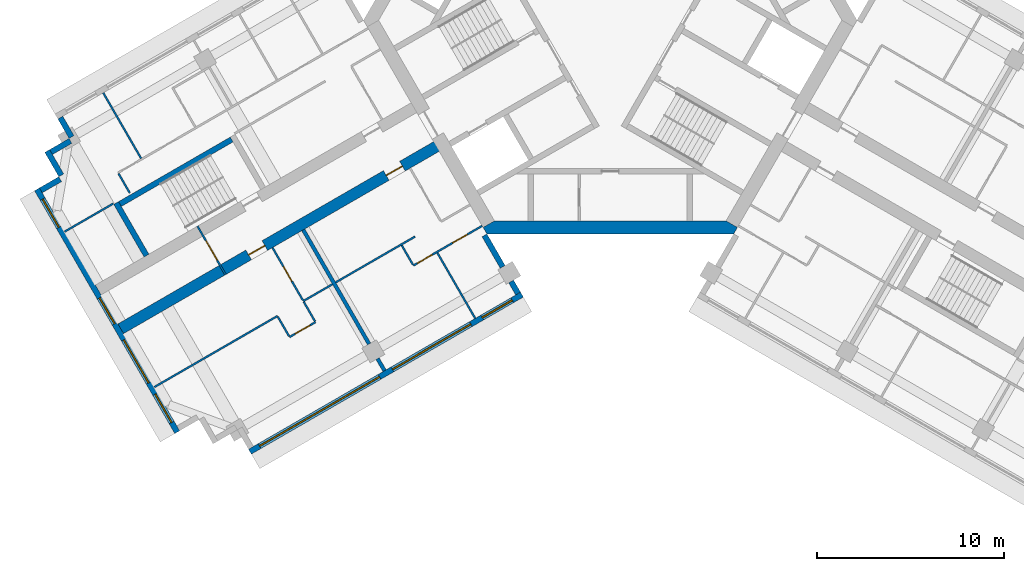
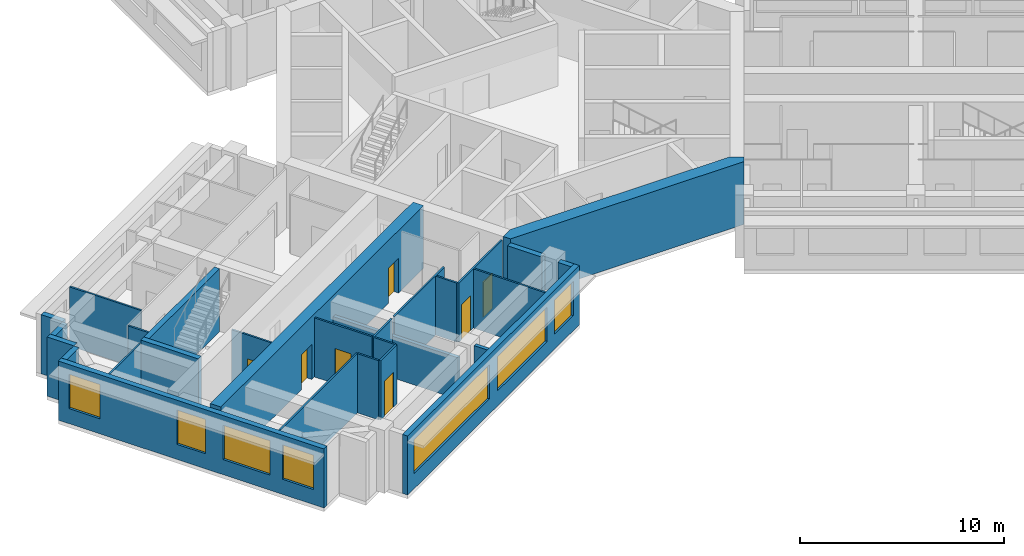
# One storey, part 2 of 10: 28 walls, 7 doors, 7 windows, 14 openings.
"""IFC4 building model written with IfcOpenShell, lengths in metres."""

from ifc_helpers import new_model, si_unit, direction, frame, frame_2d, origin, place, context, subcontext, project, spatial, polyline, rectangle, outline, extrude, material, layer, layer_set, type_object, element, fill, save


model = new_model("IFC4")

# Units and contexts
model_context = context("Model", 3, precision=1e-05, world=origin(), true_north=direction((0.0, 1.0)))
body_context = subcontext(model_context, "Body", "Model", "MODEL_VIEW")
ifc_project = project(units=[si_unit("LENGTHUNIT", "METRE"), si_unit("AREAUNIT", "SQUARE_METRE"), si_unit("VOLUMEUNIT", "CUBIC_METRE"), si_unit("PLANEANGLEUNIT", "RADIAN"), si_unit("MASSUNIT", "GRAM", prefix="KILO")], contexts=[model_context])

# Site, building, storey
site_placement = place(None, origin())
site = spatial("IfcSite", under=ifc_project, at=site_placement, CompositionType="ELEMENT")
building_placement = place(site_placement, origin())
building = spatial("IfcBuilding", under=site, at=building_placement, Name="Impinga Residences", CompositionType="ELEMENT")
storey_placement = place(building_placement, frame((0.0, 0.0, 226.0)))
storey = spatial("IfcBuildingStorey", under=building, at=storey_placement, Name="L56", CompositionType="ELEMENT", Elevation=226.0)

# Wall, openings, doors
ifc_material_1 = material(Name="Concrete C60/75", Category="concrete")
ifc_layer_1 = layer(ifc_material_1, 0.60009765625)
ifc_layer_set_1 = layer_set([ifc_layer_1], Name="Concrete C60/75")
wall_type_1 = type_object("IfcWallType", Name="BW3 corridor buttress wall, L46 to L73 600", PredefinedType="SHEAR", material=ifc_layer_set_1)
wall_1_placement = place(storey_placement, frame((-8.996826171875, -6.580078125, 0.0), z_axis=(0.0, 0.0, 1.0), x_axis=(-0.866030540451, -0.499991102927, 0.0)))
wall_1 = element("IfcWall", 1, at=wall_1_placement, inside=storey, type_object=wall_type_1, Name="Corridor wall BW3 WC L56", PredefinedType="SHEAR", context=body_context, shape_type="SweptSolid", body=[
    extrude(rectangle(XDim=19.849853515625, YDim=0.60009765625, at=frame_2d((9.9248046875, 0.0))), origin(), (0.0, 0.0, 1.0), 3.75),
])
opening_1_placement = place(wall_1_placement, frame((2.449951171875, 0.0, 0.0)))
opening_1 = element("IfcOpeningElement", 2, at=opening_1_placement, cuts=wall_1, Name="Opening D1", PredefinedType="OPENING", context=body_context, shape_type="SweptSolid", body=[
    extrude(rectangle(XDim=1.0, YDim=2.10009765625, at=frame_2d((0.5, 1.050048828125))), frame((0.0, 0.31005859375, 0.0), z_axis=(0.0, -1.0, 0.0), x_axis=(1.0, 0.0, 0.0)), (0.0, 0.0, 1.0), 0.6201171875),
])
opening_2_placement = place(wall_1_placement, frame((10.949951171875, 0.0, 0.0)))
opening_2 = element("IfcOpeningElement", 3, at=opening_2_placement, cuts=wall_1, Name="Opening D1", PredefinedType="OPENING", context=body_context, shape_type="SweptSolid", body=[
    extrude(rectangle(XDim=1.0, YDim=2.10009765625, at=frame_2d((0.5, 1.050048828125))), frame((0.0, 0.31005859375, 0.0), z_axis=(0.0, -1.0, 0.0), x_axis=(1.0, 0.0, 0.0)), (0.0, 0.0, 1.0), 0.6201171875),
])
ifc_material_2 = material(Name="Timber door set", Category="wood")
door_type_1 = type_object("IfcDoorType", Name="D1 apartment entrance door 1000x2100", OperationType="SINGLE_SWING_LEFT", PredefinedType="DOOR", material=ifc_material_2)
door_1_placement = place(opening_1_placement, origin())
door_1 = element("IfcDoor", 4, at=door_1_placement, inside=storey, type_object=door_type_1, Name="Apartment L56-WA1 entrance", OperationType="SINGLE_SWING_LEFT", OverallHeight=2.10009765625, OverallWidth=1.0, PredefinedType="DOOR", context=body_context, shape_type="SweptSolid", body=[
    extrude(rectangle(XDim=1.0, YDim=2.10009765625, at=frame_2d((0.5, 1.050048828125))), frame((0.0, 0.02490234375, 0.0), z_axis=(0.0, -1.0, 0.0), x_axis=(1.0, 0.0, 0.0)), (0.0, 0.0, 1.0), 0.050048828125),
])
fill(opening_1, door_1)
door_2_placement = place(opening_2_placement, origin())
door_2 = element("IfcDoor", 5, at=door_2_placement, inside=storey, type_object=door_type_1, Name="Apartment L56-WA2 entrance", OperationType="SINGLE_SWING_RIGHT", OverallHeight=2.10009765625, OverallWidth=1.0, PredefinedType="DOOR", context=body_context, shape_type="SweptSolid", body=[
    extrude(rectangle(XDim=1.0, YDim=2.10009765625, at=frame_2d((0.5, 1.050048828125))), frame((0.0, 0.02490234375, 0.0), z_axis=(0.0, -1.0, 0.0), x_axis=(1.0, 0.0, 0.0)), (0.0, 0.0, 1.0), 0.050048828125),
])
fill(opening_2, door_2)

# Wall, opening, door
ifc_material_3 = material(Name="Concrete blockwork", Category="masonry")
ifc_layer_2 = layer(ifc_material_3, 0.10009765625)
ifc_layer_set_2 = layer_set([ifc_layer_2], Name="CP1 core room partition, blockwork 100")
wall_type_2 = type_object("IfcWallType", Name="CP1 core room partition, blockwork 100", PredefinedType="PARTITIONING", material=ifc_layer_set_2)
wall_2_placement = place(storey_placement, frame((-20.58154296875, -13.61474609375, 0.0), z_axis=(0.0, 0.0, 1.0), x_axis=(-0.50002537861, 0.866010750942, 0.0)))
wall_2 = element("IfcWall", 6, at=wall_2_placement, inside=storey, type_object=wall_type_2, Name="Core room partition, blockwork L56:W:LNG", PredefinedType="PARTITIONING", context=body_context, shape_type="SweptSolid", body=[
    extrude(rectangle(XDim=2.999755859375, YDim=0.10009765625, at=frame_2d((1.5, 0.0))), origin(), (0.0, 0.0, 1.0), 3.530029296875),
])
opening_3_placement = place(wall_2_placement, frame((0.89990234375, 0.0, 0.0)))
opening_3 = element("IfcOpeningElement", 7, at=opening_3_placement, cuts=wall_2, Name="Opening D3", PredefinedType="OPENING", context=body_context, shape_type="SweptSolid", body=[
    extrude(rectangle(XDim=1.199951171875, YDim=2.10009765625, at=frame_2d((0.60009765625, 1.050048828125))), frame((0.0, 0.06005859375, 0.0), z_axis=(0.0, -1.0, 0.0), x_axis=(1.0, 0.0, 0.0)), (0.0, 0.0, 1.0), 0.1201171875),
])
door_type_2 = type_object("IfcDoorType", Name="D3 room door, leaf and a half 1200x2100", OperationType="DOUBLE_SWING_LEFT", PredefinedType="DOOR", material=ifc_material_2)
door_3_placement = place(opening_3_placement, origin())
door_3 = element("IfcDoor", 8, at=door_3_placement, inside=storey, type_object=door_type_2, Name="Residents' lounge door W", OperationType="DOUBLE_SWING_LEFT", OverallHeight=2.10009765625, OverallWidth=1.199951171875, PredefinedType="DOOR", context=body_context, shape_type="SweptSolid", body=[
    extrude(rectangle(XDim=1.199951171875, YDim=2.10009765625, at=frame_2d((0.60009765625, 1.050048828125))), frame((0.0, 0.02490234375, 0.0), z_axis=(0.0, -1.0, 0.0), x_axis=(1.0, 0.0, 0.0)), (0.0, 0.0, 1.0), 0.050048828125),
])
fill(opening_3, door_3)

# Walls
ifc_material_4 = material(Name="Terracotta rainscreen on blockwork", Category="masonry")
ifc_layer_3 = layer(ifc_material_4, 0.300048828125)
ifc_layer_set_3 = layer_set([ifc_layer_3], Name="EW1 external wall, terracotta rainscreen on blockwork 300")
wall_type_3 = type_object("IfcWallType", Name="EW1 external wall, terracotta rainscreen on blockwork 300", PredefinedType="SOLIDWALL", material=ifc_layer_set_3)
wall_3_placement = place(storey_placement, frame((-6.72998046875, -11.506591796875, 0.0), z_axis=(0.0, 0.0, 1.0), x_axis=(0.500043961785, -0.866000020948, 0.0)))
element("IfcWall", 9, at=wall_3_placement, inside=storey, type_object=wall_type_3, Name="External wall EW1 L56", PredefinedType="SOLIDWALL", context=body_context, shape_type="SweptSolid", body=[
    extrude(rectangle(XDim=1.949951171875, YDim=0.300048828125, at=frame_2d((0.97509765625, 0.0))), origin(), (0.0, 0.0, 1.0), 3.530029296875),
])
wall_4_placement = place(storey_placement, frame((-5.304931640625, -13.974609375, 0.0), z_axis=(0.0, 0.0, 1.0), x_axis=(0.499919672301, -0.866071776036, 0.0)))
element("IfcWall", 10, at=wall_4_placement, inside=storey, type_object=wall_type_3, Name="External wall EW1 L56", PredefinedType="SOLIDWALL", context=body_context, shape_type="SweptSolid", body=[
    extrude(rectangle(XDim=0.75, YDim=0.300048828125, at=frame_2d((0.375, 0.0))), origin(), (0.0, 0.0, 1.0), 3.530029296875),
])

# Wall, openings, windows
wall_5_placement = place(storey_placement, frame((-4.72509765625, -14.67919921875, 0.0), z_axis=(0.0, 0.0, 1.0), x_axis=(-0.86602562146, -0.499999622975, 0.0)))
wall_5 = element("IfcWall", 11, at=wall_5_placement, inside=storey, type_object=wall_type_3, Name="External wall EW1 L56", PredefinedType="SOLIDWALL", context=body_context, shape_type="SweptSolid", body=[
    extrude(rectangle(XDim=16.7998046875, YDim=0.300048828125, at=frame_2d((8.39990234375, 0.0))), origin(), (0.0, 0.0, 1.0), 3.530029296875),
])
opening_4_placement = place(wall_5_placement, frame((0.60009765625, 0.0, 0.89990234375)))
opening_4 = element("IfcOpeningElement", 12, at=opening_4_placement, cuts=wall_5, Name="Opening W15", PredefinedType="OPENING", context=body_context, shape_type="SweptSolid", body=[
    extrude(rectangle(XDim=1.85009765625, YDim=2.050048828125, at=frame_2d((0.925048828125, 1.02490234375))), frame((0.0, 0.159912109375, 0.0), z_axis=(0.0, -1.0, 0.0), x_axis=(1.0, 0.0, 0.0)), (0.0, 0.0, 1.0), 0.320068359375),
])
opening_5_placement = place(wall_5_placement, frame((3.14990234375, 0.0, 0.89990234375)))
opening_5 = element("IfcOpeningElement", 13, at=opening_5_placement, cuts=wall_5, Name="Opening W6", PredefinedType="OPENING", context=body_context, shape_type="SweptSolid", body=[
    extrude(rectangle(XDim=4.85009765625, YDim=2.050048828125, at=frame_2d((2.425048828125, 1.02490234375))), frame((0.0, 0.159912109375, 0.0), z_axis=(0.0, -1.0, 0.0), x_axis=(1.0, 0.0, 0.0)), (0.0, 0.0, 1.0), 0.320068359375),
])
opening_6_placement = place(wall_5_placement, frame((8.800048828125, 0.0, 0.89990234375)))
opening_6 = element("IfcOpeningElement", 14, at=opening_6_placement, cuts=wall_5, Name="Opening W12", PredefinedType="OPENING", context=body_context, shape_type="SweptSolid", body=[
    extrude(rectangle(XDim=7.39990234375, YDim=2.050048828125, at=frame_2d((3.699951171875, 1.02490234375))), frame((0.0, 0.159912109375, 0.0), z_axis=(0.0, -1.0, 0.0), x_axis=(1.0, 0.0, 0.0)), (0.0, 0.0, 1.0), 0.320068359375),
])
ifc_material_5 = material(Name="Aluminium window, clear double glazing", Category="aluminium")
window_type_1 = type_object("IfcWindowType", Name="W12 ribbon window 7400x2050", PartitioningType="SINGLE_PANEL", PredefinedType="WINDOW", material=ifc_material_5)
window_1_placement = place(opening_6_placement, origin())
window_1 = element("IfcWindow", 15, at=window_1_placement, inside=storey, type_object=window_type_1, Name="Window L56", OverallHeight=2.050048828125, OverallWidth=7.39990234375, PartitioningType="SINGLE_PANEL", PredefinedType="WINDOW", context=body_context, shape_type="SweptSolid", body=[
    extrude(rectangle(XDim=7.39990234375, YDim=2.050048828125, at=frame_2d((3.699951171875, 1.02490234375))), frame((0.0, 0.030029296875, 0.0), z_axis=(0.0, -1.0, 0.0), x_axis=(1.0, 0.0, 0.0)), (0.0, 0.0, 1.0), 0.06005859375),
])
fill(opening_6, window_1)
window_type_2 = type_object("IfcWindowType", Name="W15 ribbon window 1850x2050", PartitioningType="SINGLE_PANEL", PredefinedType="WINDOW", material=ifc_material_5)
window_2_placement = place(opening_4_placement, origin())
window_2 = element("IfcWindow", 16, at=window_2_placement, inside=storey, type_object=window_type_2, Name="Window L56", OverallHeight=2.050048828125, OverallWidth=1.85009765625, PartitioningType="SINGLE_PANEL", PredefinedType="WINDOW", context=body_context, shape_type="SweptSolid", body=[
    extrude(rectangle(XDim=1.85009765625, YDim=2.050048828125, at=frame_2d((0.925048828125, 1.02490234375))), frame((0.0, 0.030029296875, 0.0), z_axis=(0.0, -1.0, 0.0), x_axis=(1.0, 0.0, 0.0)), (0.0, 0.0, 1.0), 0.06005859375),
])
fill(opening_4, window_2)
window_type_3 = type_object("IfcWindowType", Name="W6 ribbon window 4850x2050", PartitioningType="SINGLE_PANEL", PredefinedType="WINDOW", material=ifc_material_5)
window_3_placement = place(opening_5_placement, origin())
window_3 = element("IfcWindow", 17, at=window_3_placement, inside=storey, type_object=window_type_3, Name="Window L56", OverallHeight=2.050048828125, OverallWidth=4.85009765625, PartitioningType="SINGLE_PANEL", PredefinedType="WINDOW", context=body_context, shape_type="SweptSolid", body=[
    extrude(rectangle(XDim=4.85009765625, YDim=2.050048828125, at=frame_2d((2.425048828125, 1.02490234375))), frame((0.0, 0.030029296875, 0.0), z_axis=(0.0, -1.0, 0.0), x_axis=(1.0, 0.0, 0.0)), (0.0, 0.0, 1.0), 0.06005859375),
])
fill(opening_5, window_3)

wall_6_placement = place(storey_placement, frame((-23.16748046875, -22.035888671875, 0.0), z_axis=(0.0, 0.0, 1.0), x_axis=(-0.500004234368, 0.866022959057, 0.0)))
wall_6 = element("IfcWall", 18, at=wall_6_placement, inside=storey, type_object=wall_type_3, Name="External wall EW1 L56", PredefinedType="SOLIDWALL", context=body_context, shape_type="SweptSolid", body=[
    extrude(rectangle(XDim=14.999755859375, YDim=0.300048828125, at=frame_2d((7.5, 0.0))), origin(), (0.0, 0.0, 1.0), 3.530029296875),
])
opening_7_placement = place(wall_6_placement, frame((0.60009765625, 0.0, 0.89990234375)))
opening_7 = element("IfcOpeningElement", 19, at=opening_7_placement, cuts=wall_6, Name="Opening W1", PredefinedType="OPENING", context=body_context, shape_type="SweptSolid", body=[
    extrude(rectangle(XDim=1.75, YDim=2.050048828125, at=frame_2d((0.875, 1.02490234375))), frame((0.0, 0.159912109375, 0.0), z_axis=(0.0, -1.0, 0.0), x_axis=(1.0, 0.0, 0.0)), (0.0, 0.0, 1.0), 0.320068359375),
])
opening_8_placement = place(wall_6_placement, frame((3.050048828125, 0.0, 0.89990234375)))
opening_8 = element("IfcOpeningElement", 20, at=opening_8_placement, cuts=wall_6, Name="Opening W18", PredefinedType="OPENING", context=body_context, shape_type="SweptSolid", body=[
    extrude(rectangle(XDim=2.64990234375, YDim=2.050048828125, at=frame_2d((1.324951171875, 1.02490234375))), frame((0.0, 0.159912109375, 0.0), z_axis=(0.0, -1.0, 0.0), x_axis=(1.0, 0.0, 0.0)), (0.0, 0.0, 1.0), 0.320068359375),
])
opening_9_placement = place(wall_6_placement, frame((6.699951171875, 0.0, 0.89990234375)))
opening_9 = element("IfcOpeningElement", 21, at=opening_9_placement, cuts=wall_6, Name="Opening W19", PredefinedType="OPENING", context=body_context, shape_type="SweptSolid", body=[
    extrude(rectangle(XDim=1.60009765625, YDim=2.050048828125, at=frame_2d((0.800048828125, 1.02490234375))), frame((0.0, 0.159912109375, 0.0), z_axis=(0.0, -1.0, 0.0), x_axis=(1.0, 0.0, 0.0)), (0.0, 0.0, 1.0), 0.320068359375),
])
opening_10_placement = place(wall_6_placement, frame((12.64990234375, 0.0, 0.89990234375)))
opening_10 = element("IfcOpeningElement", 22, at=opening_10_placement, cuts=wall_6, Name="Opening W1", PredefinedType="OPENING", context=body_context, shape_type="SweptSolid", body=[
    extrude(rectangle(XDim=1.75, YDim=2.050048828125, at=frame_2d((0.875, 1.02490234375))), frame((0.0, 0.159912109375, 0.0), z_axis=(0.0, -1.0, 0.0), x_axis=(1.0, 0.0, 0.0)), (0.0, 0.0, 1.0), 0.320068359375),
])
window_type_4 = type_object("IfcWindowType", Name="W1 ribbon window 1750x2050", PartitioningType="SINGLE_PANEL", PredefinedType="WINDOW", material=ifc_material_5)
window_4_placement = place(opening_7_placement, origin())
window_4 = element("IfcWindow", 23, at=window_4_placement, inside=storey, type_object=window_type_4, Name="Window L56", OverallHeight=2.050048828125, OverallWidth=1.75, PartitioningType="SINGLE_PANEL", PredefinedType="WINDOW", context=body_context, shape_type="SweptSolid", body=[
    extrude(rectangle(XDim=1.75, YDim=2.050048828125, at=frame_2d((0.875, 1.02490234375))), frame((0.0, 0.030029296875, 0.0), z_axis=(0.0, -1.0, 0.0), x_axis=(1.0, 0.0, 0.0)), (0.0, 0.0, 1.0), 0.06005859375),
])
fill(opening_7, window_4)
window_5_placement = place(opening_10_placement, origin())
window_5 = element("IfcWindow", 24, at=window_5_placement, inside=storey, type_object=window_type_4, Name="Window L56", OverallHeight=2.050048828125, OverallWidth=1.75, PartitioningType="SINGLE_PANEL", PredefinedType="WINDOW", context=body_context, shape_type="SweptSolid", body=[
    extrude(rectangle(XDim=1.75, YDim=2.050048828125, at=frame_2d((0.875, 1.02490234375))), frame((0.0, 0.030029296875, 0.0), z_axis=(0.0, -1.0, 0.0), x_axis=(1.0, 0.0, 0.0)), (0.0, 0.0, 1.0), 0.06005859375),
])
fill(opening_10, window_5)
window_type_5 = type_object("IfcWindowType", Name="W18 ribbon window 2650x2050", PartitioningType="SINGLE_PANEL", PredefinedType="WINDOW", material=ifc_material_5)
window_6_placement = place(opening_8_placement, origin())
window_6 = element("IfcWindow", 25, at=window_6_placement, inside=storey, type_object=window_type_5, Name="Window L56", OverallHeight=2.050048828125, OverallWidth=2.64990234375, PartitioningType="SINGLE_PANEL", PredefinedType="WINDOW", context=body_context, shape_type="SweptSolid", body=[
    extrude(rectangle(XDim=2.64990234375, YDim=2.050048828125, at=frame_2d((1.324951171875, 1.02490234375))), frame((0.0, 0.030029296875, 0.0), z_axis=(0.0, -1.0, 0.0), x_axis=(1.0, 0.0, 0.0)), (0.0, 0.0, 1.0), 0.06005859375),
])
fill(opening_8, window_6)
window_type_6 = type_object("IfcWindowType", Name="W19 ribbon window 1600x2050", PartitioningType="SINGLE_PANEL", PredefinedType="WINDOW", material=ifc_material_5)
window_7_placement = place(opening_9_placement, origin())
window_7 = element("IfcWindow", 26, at=window_7_placement, inside=storey, type_object=window_type_6, Name="Window L56", OverallHeight=2.050048828125, OverallWidth=1.60009765625, PartitioningType="SINGLE_PANEL", PredefinedType="WINDOW", context=body_context, shape_type="SweptSolid", body=[
    extrude(rectangle(XDim=1.60009765625, YDim=2.050048828125, at=frame_2d((0.800048828125, 1.02490234375))), frame((0.0, 0.030029296875, 0.0), z_axis=(0.0, -1.0, 0.0), x_axis=(1.0, 0.0, 0.0)), (0.0, 0.0, 1.0), 0.06005859375),
])
fill(opening_9, window_7)

# Walls
wall_7_placement = place(storey_placement, frame((-30.46240234375, -9.1005859375, 0.0), z_axis=(0.0, 0.0, 1.0), x_axis=(0.865971243484, 0.500093796661, 0.0)))
element("IfcWall", 27, at=wall_7_placement, inside=storey, type_object=wall_type_3, Name="External wall EW1 L56", PredefinedType="SOLIDWALL", context=body_context, shape_type="SweptSolid", body=[
    extrude(rectangle(XDim=1.195068359375, YDim=0.300048828125, at=frame_2d((0.59765625, 0.0))), origin(), (0.0, 0.0, 1.0), 3.530029296875),
])
wall_8_placement = place(storey_placement, frame((-29.368408203125, -8.295654296875, 0.0), z_axis=(0.0, 0.0, 1.0), x_axis=(-0.499990139034, 0.866031096941, 0.0)))
element("IfcWall", 28, at=wall_8_placement, inside=storey, type_object=wall_type_3, Name="External wall EW1 L56", PredefinedType="SOLIDWALL", context=body_context, shape_type="SweptSolid", body=[
    extrude(rectangle(XDim=1.5, YDim=0.300048828125, at=frame_2d((0.75, 0.0))), origin(), (0.0, 0.0, 1.0), 3.530029296875),
])
wall_9_placement = place(storey_placement, frame((-29.91357421875, -7.051513671875, 0.0), z_axis=(0.0, 0.0, 1.0), x_axis=(0.865971243484, 0.500093796661, 0.0)))
element("IfcWall", 29, at=wall_9_placement, inside=storey, type_object=wall_type_3, Name="External wall EW1 L56", PredefinedType="SOLIDWALL", context=body_context, shape_type="SweptSolid", body=[
    extrude(rectangle(XDim=1.195068359375, YDim=0.300048828125, at=frame_2d((0.59765625, 0.0))), origin(), (0.0, 0.0, 1.0), 3.530029296875),
])
wall_10_placement = place(storey_placement, frame((-28.8193359375, -6.24658203125, 0.0), z_axis=(0.0, 0.0, 1.0), x_axis=(-0.500033551112, 0.866006032174, 0.0)))
element("IfcWall", 30, at=wall_10_placement, inside=storey, type_object=wall_type_3, Name="External wall EW1 L56", PredefinedType="SOLIDWALL", context=body_context, shape_type="SweptSolid", body=[
    extrude(rectangle(XDim=1.2001953125, YDim=0.300048828125, at=frame_2d((0.60009765625, 0.0))), origin(), (0.0, 0.0, 1.0), 3.530029296875),
])
ifc_material_6 = material(Name="Gypsum board on steel studs", Category="steel")
ifc_layer_4 = layer(ifc_material_6, 0.10009765625)
ifc_layer_set_4 = layer_set([ifc_layer_4], Name="Gypsum board on steel studs")
wall_type_4 = type_object("IfcWallType", Name="IP1 partition 100", PredefinedType="PARTITIONING", material=ifc_layer_set_4)
wall_11_placement = place(storey_placement, frame((-10.444580078125, -11.57275390625, 0.0), z_axis=(0.0, 0.0, 1.0), x_axis=(-0.866023786258, -0.500002801628, 0.0)))
element("IfcWall", 31, at=wall_11_placement, inside=storey, type_object=wall_type_4, Name="Partition L56-WA1:DIV1", PredefinedType="PARTITIONING", context=body_context, shape_type="SweptSolid", body=[
    extrude(rectangle(XDim=4.89990234375, YDim=0.10009765625, at=frame_2d((2.449951171875, 0.0))), origin(), (0.0, 0.0, 1.0), 3.530029296875),
])

# Wall, openings, doors
wall_12_placement = place(storey_placement, frame((-6.85009765625, -10.99853515625, 0.0), z_axis=(0.0, 0.0, 1.0), x_axis=(-0.866014341725, -0.50001915956, 0.0)))
wall_12 = element("IfcWall", 32, at=wall_12_placement, inside=storey, type_object=wall_type_4, Name="Partition L56-WA1:STRIP", PredefinedType="PARTITIONING", context=body_context, shape_type="SweptSolid", body=[
    extrude(rectangle(XDim=4.249755859375, YDim=0.10009765625, at=frame_2d((2.125, 0.0))), origin(), (0.0, 0.0, 1.0), 3.530029296875),
])
opening_11_placement = place(wall_12_placement, frame((0.925048828125, 0.0, 0.0)))
opening_11 = element("IfcOpeningElement", 33, at=opening_11_placement, cuts=wall_12, Name="Opening D2", PredefinedType="OPENING", context=body_context, shape_type="SweptSolid", body=[
    extrude(rectangle(XDim=0.89990234375, YDim=2.10009765625, at=frame_2d((0.449951171875, 1.050048828125))), frame((0.0, 0.06005859375, 0.0), z_axis=(0.0, -1.0, 0.0), x_axis=(1.0, 0.0, 0.0)), (0.0, 0.0, 1.0), 0.1201171875),
])
opening_12_placement = place(wall_12_placement, frame((3.10009765625, 0.0, 0.0)))
opening_12 = element("IfcOpeningElement", 34, at=opening_12_placement, cuts=wall_12, Name="Opening D2", PredefinedType="OPENING", context=body_context, shape_type="SweptSolid", body=[
    extrude(rectangle(XDim=0.89990234375, YDim=2.10009765625, at=frame_2d((0.449951171875, 1.050048828125))), frame((0.0, 0.06005859375, 0.0), z_axis=(0.0, -1.0, 0.0), x_axis=(1.0, 0.0, 0.0)), (0.0, 0.0, 1.0), 0.1201171875),
])
door_type_3 = type_object("IfcDoorType", Name="D2 internal door 900x2100", OperationType="SINGLE_SWING_LEFT", PredefinedType="DOOR", material=ifc_material_2)
door_4_placement = place(opening_11_placement, origin())
door_4 = element("IfcDoor", 35, at=door_4_placement, inside=storey, type_object=door_type_3, Name="Apartment L56-WA1 room door", OperationType="SINGLE_SWING_LEFT", OverallHeight=2.10009765625, OverallWidth=0.89990234375, PredefinedType="DOOR", context=body_context, shape_type="SweptSolid", body=[
    extrude(rectangle(XDim=0.89990234375, YDim=2.10009765625, at=frame_2d((0.449951171875, 1.050048828125))), frame((0.0, 0.02490234375, 0.0), z_axis=(0.0, -1.0, 0.0), x_axis=(1.0, 0.0, 0.0)), (0.0, 0.0, 1.0), 0.050048828125),
])
fill(opening_11, door_4)
door_5_placement = place(opening_12_placement, origin())
door_5 = element("IfcDoor", 36, at=door_5_placement, inside=storey, type_object=door_type_3, Name="Apartment L56-WA1 room door", OperationType="SINGLE_SWING_RIGHT", OverallHeight=2.10009765625, OverallWidth=0.89990234375, PredefinedType="DOOR", context=body_context, shape_type="SweptSolid", body=[
    extrude(rectangle(XDim=0.89990234375, YDim=2.10009765625, at=frame_2d((0.449951171875, 1.050048828125))), frame((0.0, 0.02490234375, 0.0), z_axis=(0.0, -1.0, 0.0), x_axis=(1.0, 0.0, 0.0)), (0.0, 0.0, 1.0), 0.050048828125),
])
fill(opening_12, door_5)

# Walls
wall_13_placement = place(storey_placement, frame((-11.155517578125, -12.041015625, 0.0), z_axis=(0.0, 0.0, 1.0), x_axis=(0.499880961361, -0.866094119867, 0.0)))
element("IfcWall", 37, at=wall_13_placement, inside=storey, type_object=wall_type_4, Name="Partition L56-WA1:SE1", PredefinedType="PARTITIONING", context=body_context, shape_type="SweptSolid", body=[
    extrude(rectangle(XDim=1.199951171875, YDim=0.10009765625, at=frame_2d((0.60009765625, 0.0))), origin(), (0.0, 0.0, 1.0), 3.530029296875),
])
wall_14_placement = place(storey_placement, frame((-9.249755859375, -12.44189453125, 0.0), z_axis=(0.0, 0.0, 1.0), x_axis=(0.499990325971, -0.866030989016, 0.0)))
element("IfcWall", 38, at=wall_14_placement, inside=storey, type_object=wall_type_4, Name="Partition L56-WA1:OB1", PredefinedType="PARTITIONING", context=body_context, shape_type="SweptSolid", body=[
    extrude(rectangle(XDim=4.0498046875, YDim=0.10009765625, at=frame_2d((2.02490234375, 0.0))), origin(), (0.0, 0.0, 1.0), 3.530029296875),
])
wall_15_placement = place(storey_placement, frame((-14.861328125, -14.122802734375, 0.0), z_axis=(0.0, 0.0, 1.0), x_axis=(-0.866047807691, -0.499961193289, 0.0)))
element("IfcWall", 39, at=wall_15_placement, inside=storey, type_object=wall_type_4, Name="Partition L56-WA2:DIV0", PredefinedType="PARTITIONING", context=body_context, shape_type="SweptSolid", body=[
    extrude(rectangle(XDim=1.800048828125, YDim=0.10009765625, at=frame_2d((0.89990234375, 0.0))), origin(), (0.0, 0.0, 1.0), 3.530029296875),
])
wall_16_placement = place(storey_placement, frame((-17.8056640625, -15.82275390625, 0.0), z_axis=(0.0, 0.0, 1.0), x_axis=(-0.866022425744, -0.500005158081, 0.0)))
element("IfcWall", 40, at=wall_16_placement, inside=storey, type_object=wall_type_4, Name="Partition L56-WA2:DIV1", PredefinedType="PARTITIONING", context=body_context, shape_type="SweptSolid", body=[
    extrude(rectangle(XDim=7.60009765625, YDim=0.10009765625, at=frame_2d((3.800048828125, 0.0))), origin(), (0.0, 0.0, 1.0), 3.530029296875),
])

# Wall, opening, door
wall_17_placement = place(storey_placement, frame((-15.77001953125, -16.1484375, 0.0), z_axis=(0.0, 0.0, 1.0), x_axis=(-0.866028054938, -0.499995408039, 0.0)))
wall_17 = element("IfcWall", 41, at=wall_17_placement, inside=storey, type_object=wall_type_4, Name="Partition L56-WA2:STRIP", PredefinedType="PARTITIONING", context=body_context, shape_type="SweptSolid", body=[
    extrude(rectangle(XDim=1.60009765625, YDim=0.10009765625, at=frame_2d((0.800048828125, 0.0))), origin(), (0.0, 0.0, 1.0), 3.530029296875),
])
opening_13_placement = place(wall_17_placement, frame((0.35009765625, 0.0, 0.0)))
opening_13 = element("IfcOpeningElement", 42, at=opening_13_placement, cuts=wall_17, Name="Opening D2", PredefinedType="OPENING", context=body_context, shape_type="SweptSolid", body=[
    extrude(rectangle(XDim=0.89990234375, YDim=2.10009765625, at=frame_2d((0.449951171875, 1.050048828125))), frame((0.0, 0.06005859375, 0.0), z_axis=(0.0, -1.0, 0.0), x_axis=(1.0, 0.0, 0.0)), (0.0, 0.0, 1.0), 0.1201171875),
])
door_6_placement = place(opening_13_placement, origin())
door_6 = element("IfcDoor", 43, at=door_6_placement, inside=storey, type_object=door_type_3, Name="Apartment L56-WA2 room door", OperationType="SINGLE_SWING_LEFT", OverallHeight=2.10009765625, OverallWidth=0.89990234375, PredefinedType="DOOR", context=body_context, shape_type="SweptSolid", body=[
    extrude(rectangle(XDim=0.89990234375, YDim=2.10009765625, at=frame_2d((0.449951171875, 1.050048828125))), frame((0.0, 0.02490234375, 0.0), z_axis=(0.0, -1.0, 0.0), x_axis=(1.0, 0.0, 0.0)), (0.0, 0.0, 1.0), 0.050048828125),
])
fill(opening_13, door_6)

# Walls
wall_18_placement = place(storey_placement, frame((-16.39501953125, -15.06591796875, 0.0), z_axis=(0.0, 0.0, 1.0), x_axis=(0.499880961361, -0.866094119867, 0.0)))
element("IfcWall", 44, at=wall_18_placement, inside=storey, type_object=wall_type_4, Name="Partition L56-WA2:SE0", PredefinedType="PARTITIONING", context=body_context, shape_type="SweptSolid", body=[
    extrude(rectangle(XDim=1.199951171875, YDim=0.10009765625, at=frame_2d((0.60009765625, 0.0))), origin(), (0.0, 0.0, 1.0), 3.530029296875),
])
wall_19_placement = place(storey_placement, frame((-17.78076171875, -15.865966796875, 0.0), z_axis=(0.0, 0.0, 1.0), x_axis=(0.500033551112, -0.866006032174, 0.0)))
element("IfcWall", 45, at=wall_19_placement, inside=storey, type_object=wall_type_4, Name="Partition L56-WA2:SE1", PredefinedType="PARTITIONING", context=body_context, shape_type="SweptSolid", body=[
    extrude(rectangle(XDim=1.2001953125, YDim=0.10009765625, at=frame_2d((0.60009765625, 0.0))), origin(), (0.0, 0.0, 1.0), 3.530029296875),
])

# Wall, opening, door
wall_20_placement = place(storey_placement, frame((-18.070068359375, -12.164794921875, 0.0), z_axis=(0.0, 0.0, 1.0), x_axis=(0.499984717929, -0.866034226713, 0.0)))
wall_20 = element("IfcWall", 46, at=wall_20_placement, inside=storey, type_object=wall_type_4, Name="Partition L56-WA2:IB1", PredefinedType="PARTITIONING", context=body_context, shape_type="SweptSolid", body=[
    extrude(rectangle(XDim=3.25, YDim=0.10009765625, at=frame_2d((1.625, 0.0))), origin(), (0.0, 0.0, 1.0), 3.530029296875),
])
opening_14_placement = place(wall_20_placement, frame((1.175048828125, 0.0, 0.0)))
opening_14 = element("IfcOpeningElement", 47, at=opening_14_placement, cuts=wall_20, Name="Opening D2", PredefinedType="OPENING", context=body_context, shape_type="SweptSolid", body=[
    extrude(rectangle(XDim=0.89990234375, YDim=2.10009765625, at=frame_2d((0.449951171875, 1.050048828125))), frame((0.0, 0.06005859375, 0.0), z_axis=(0.0, -1.0, 0.0), x_axis=(1.0, 0.0, 0.0)), (0.0, 0.0, 1.0), 0.1201171875),
])
door_7_placement = place(opening_14_placement, origin())
door_7 = element("IfcDoor", 48, at=door_7_placement, inside=storey, type_object=door_type_3, Name="Apartment L56-WA2 bathroom door", OperationType="SINGLE_SWING_LEFT", OverallHeight=2.10009765625, OverallWidth=0.89990234375, PredefinedType="DOOR", context=body_context, shape_type="SweptSolid", body=[
    extrude(rectangle(XDim=0.89990234375, YDim=2.10009765625, at=frame_2d((0.449951171875, 1.050048828125))), frame((0.0, 0.02490234375, 0.0), z_axis=(0.0, -1.0, 0.0), x_axis=(1.0, 0.0, 0.0)), (0.0, 0.0, 1.0), 0.050048828125),
])
fill(opening_14, door_7)

# Walls
wall_21_placement = place(storey_placement, frame((-26.58935546875, -9.808837890625, 0.0), z_axis=(0.0, 0.0, 1.0), x_axis=(-0.866031096941, -0.499990139034, 0.0)))
element("IfcWall", 49, at=wall_21_placement, inside=storey, type_object=wall_type_4, Name="Partition L56-WF1:DIV2", PredefinedType="PARTITIONING", context=body_context, shape_type="SweptSolid", body=[
    extrude(rectangle(XDim=3.0, YDim=0.10009765625, at=frame_2d((1.5, 0.0))), origin(), (0.0, 0.0, 1.0), 3.530029296875),
])
wall_22_placement = place(storey_placement, frame((-25.705078125, -9.240478515625, 0.0), z_axis=(0.0, 0.0, 1.0), x_axis=(-0.50012165622, 0.865955154139, 0.0)))
element("IfcWall", 50, at=wall_22_placement, inside=storey, type_object=wall_type_4, Name="Partition L56-WF1:SE1", PredefinedType="PARTITIONING", context=body_context, shape_type="SweptSolid", body=[
    extrude(rectangle(XDim=1.199951171875, YDim=0.10009765625, at=frame_2d((0.60009765625, 0.0))), origin(), (0.0, 0.0, 1.0), 3.530029296875),
])
wall_23_placement = place(storey_placement, frame((-25.099365234375, -7.3896484375, 0.0), z_axis=(0.0, 0.0, 1.0), x_axis=(-0.499990325971, 0.866030989016, 0.0)))
element("IfcWall", 51, at=wall_23_placement, inside=storey, type_object=wall_type_4, Name="Partition L56-WF1:OB4", PredefinedType="PARTITIONING", context=body_context, shape_type="SweptSolid", body=[
    extrude(rectangle(XDim=4.0498046875, YDim=0.10009765625, at=frame_2d((2.02490234375, 0.0))), origin(), (0.0, 0.0, 1.0), 3.530029296875),
])
ifc_layer_5 = layer(ifc_material_3, 0.199951171875)
ifc_layer_set_5 = layer_set([ifc_layer_5], Name="PW1 party wall between apartments 200")
wall_type_5 = type_object("IfcWallType", Name="PW1 party wall between apartments 200", PredefinedType="SOLIDWALL", material=ifc_layer_set_5)
wall_24_placement = place(storey_placement, frame((-16.424560546875, -11.21484375, 0.0), z_axis=(0.0, 0.0, 1.0), x_axis=(0.499990246421, -0.866031034943, 0.0)))
element("IfcWall", 52, at=wall_24_placement, inside=storey, type_object=wall_type_5, Name="Party wall between apartments L56-WA1:PARTY", PredefinedType="SOLIDWALL", context=body_context, shape_type="SweptSolid", body=[
    extrude(rectangle(XDim=7.050048828125, YDim=0.199951171875, at=frame_2d((3.52490234375, 0.0))), origin(), (0.0, 0.0, 1.0), 2.47998046875),
])
wall_25_placement = place(storey_placement, frame((-12.44970703125, -18.099609375, 0.0), z_axis=(0.0, 0.0, 1.0), x_axis=(0.499919672301, -0.866071776036, 0.0)))
element("IfcWall", 53, at=wall_25_placement, inside=storey, type_object=wall_type_5, Name="Party wall between apartments L56-WA1:PARTYb", PredefinedType="SOLIDWALL", context=body_context, shape_type="SweptSolid", body=[
    extrude(rectangle(XDim=0.75, YDim=0.199951171875, at=frame_2d((0.375, 0.0))), origin(), (0.0, 0.0, 1.0), 3.530029296875),
])
ifc_layer_6 = layer(ifc_material_1, 0.300048828125)
ifc_layer_set_6 = layer_set([ifc_layer_6], Name="Concrete C60/75")
wall_type_6 = type_object("IfcWallType", Name="SE1 wing stair enclosure wall 300", PredefinedType="SOLIDWALL", material=ifc_layer_set_6)
wall_26_placement = place(storey_placement, frame((-24.8095703125, -12.591796875, 0.0), z_axis=(0.0, 0.0, 1.0), x_axis=(-0.499984717929, 0.866034226713, 0.0)))
element("IfcWall", 54, at=wall_26_placement, inside=storey, type_object=wall_type_6, Name="Stair enclosure wall SE1 W END1 L56", PredefinedType="SOLIDWALL", context=body_context, shape_type="SweptSolid", body=[
    extrude(rectangle(XDim=3.25, YDim=0.300048828125, at=frame_2d((1.625, 0.0))), origin(), (0.0, 0.0, 1.0), 3.75),
])
wall_27_placement = place(storey_placement, frame((-20.254150390625, -6.382080078125, 0.0), z_axis=(0.0, 0.0, 1.0), x_axis=(-0.866020008033, -0.500009345598, 0.0)))
element("IfcWall", 55, at=wall_27_placement, inside=storey, type_object=wall_type_6, Name="Stair enclosure wall SE1 W OUT L56", PredefinedType="SOLIDWALL", context=body_context, shape_type="SweptSolid", body=[
    extrude(rectangle(XDim=6.899658203125, YDim=0.300048828125, at=frame_2d((3.44970703125, 0.0))), origin(), (0.0, 0.0, 1.0), 3.75),
])
ifc_layer_7 = layer(ifc_material_1, 0.699951171875)
ifc_layer_set_7 = layer_set([ifc_layer_7], Name="Concrete C60/75")
wall_type_7 = type_object("IfcWallType", Name="SW3 core wall 700", PredefinedType="SHEAR", material=ifc_layer_set_7)
wall_28_placement = place(storey_placement, origin())
element("IfcWall", 56, at=wall_28_placement, inside=storey, type_object=wall_type_7, Name="Core wall SW3 N:EXPOSED L56", PredefinedType="SHEAR", context=body_context, shape_type="SweptSolid", body=[
    extrude(outline(polyline([(-6.60009765625, -11.431640625), (6.60009765625, -11.431640625), (6.802001953125, -11.08154296875), (6.19580078125, -10.7314453125), (-6.19580078125, -10.7314453125), (-6.802001953125, -11.08154296875), (-6.60009765625, -11.431640625)])), origin(), (0.0, 0.0, 1.0), 3.75),
])

save(model, "model.ifc")
